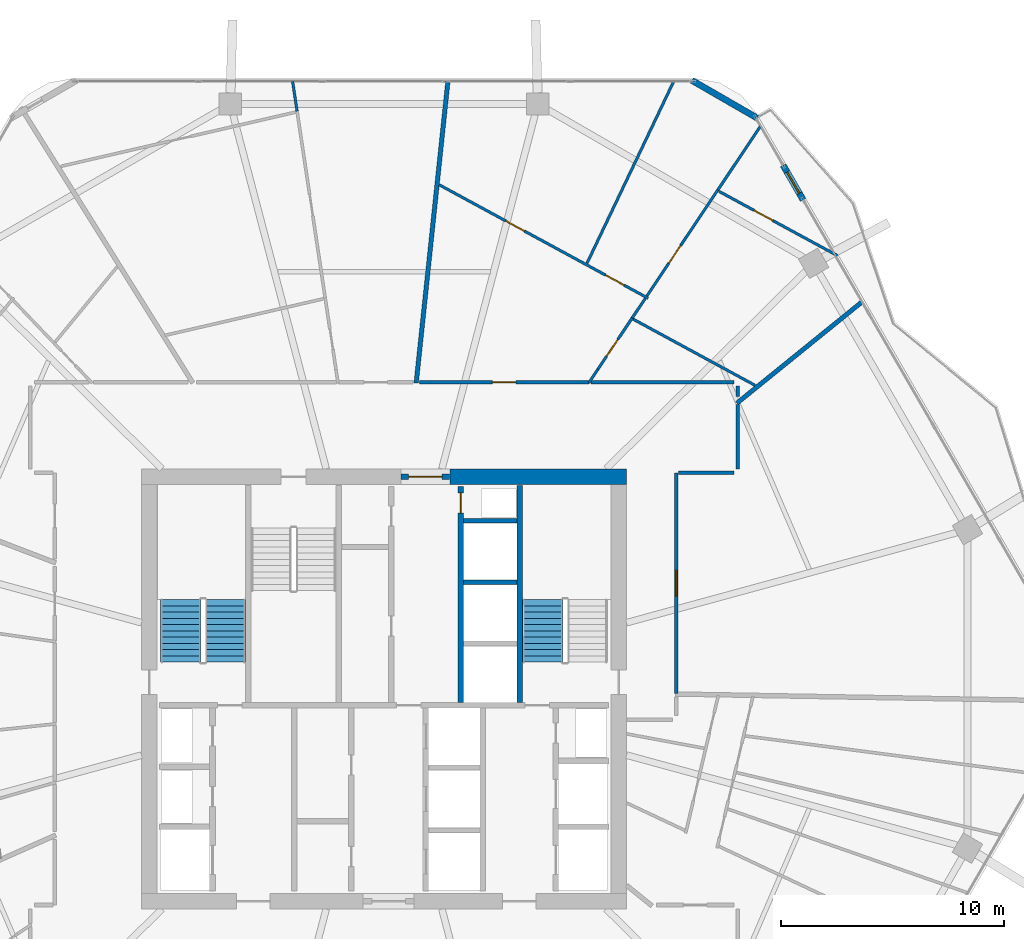
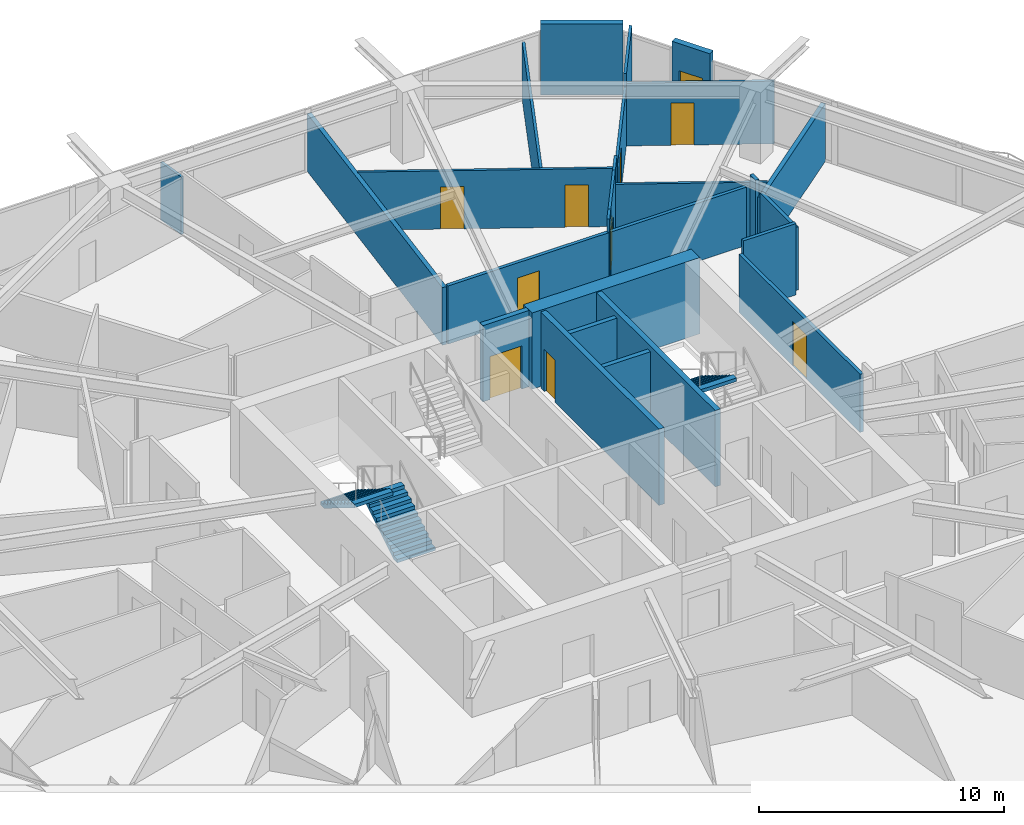
# One storey, part 21 of 25: 26 walls, 10 doors, 3 stair flights, 10 openings, 2 elements without a shape of their own.
"""IFC4 building model written with IfcOpenShell, lengths in metres."""

import ifcopenshell
import ifcopenshell.guid

model = None  # the IFC model being written
_history = None  # IfcOwnerHistory: only IFC2X3 demands one
_inside = {}  # id of a spatial element -> (the spatial element, [elements in it])
_under = {}  # id of a project, library or spatial element -> (it, [spatial elements below it])
_declared = {}  # id of a project -> (the project, [libraries it declares])
_typed = {}  # id of a type object -> (the type object, [elements of that type])
_made_of = {}  # id of a material, layer set ... -> (it, [elements and type objects made of it])


def new_model(schema):
    """Start an empty IFC model of exactly this schema.

    Asked for "IFC4X3", IfcOpenShell would pick the latest addendum, in which some entities
    have other attributes; the version numbers below select the first issue.
    IFC2X3 requires an IfcOwnerHistory on every rooted entity: one is made here for all.
    """
    global model, _history
    if schema == "IFC4X3":
        model = ifcopenshell.file(schema_version=(4, 3, 0, 0))
    else:
        model = ifcopenshell.file(schema=schema)
    _inside.clear()
    _under.clear()
    _declared.clear()
    _typed.clear()
    _made_of.clear()
    _history = None
    if model.schema == "IFC2X3":
        org = make("IfcOrganization", Name="unknown")
        user = make(
            "IfcPersonAndOrganization",
            ThePerson=make("IfcPerson", FamilyName="unknown"),
            TheOrganization=org,
        )
        app = make(
            "IfcApplication",
            ApplicationDeveloper=org,
            Version="unknown",
            ApplicationFullName="unknown",
            ApplicationIdentifier="unknown",
        )
        _history = make(
            "IfcOwnerHistory",
            OwningUser=user,
            OwningApplication=app,
            ChangeAction="ADDED",
            CreationDate=0,
        )
    return model


def make(cls, **values):
    """One entity of the class cls with the attributes given. An attribute that is None is left unset."""
    return model.create_entity(
        cls, **{name: value for name, value in values.items() if value is not None}
    )


def rooted(cls, **values):
    """An entity with a GlobalId (a new one), such as an element, a storey or a relation."""
    return make(cls, GlobalId=ifcopenshell.guid.new(), OwnerHistory=_history, **values)


def si_unit(unit_type, name, prefix=None):
    """IfcSIUnit, for example si_unit("LENGTHUNIT", "METRE", prefix="MILLI")."""
    return make("IfcSIUnit", UnitType=unit_type, Prefix=prefix, Name=name)


def assignment(units):
    """IfcUnitAssignment: the units of a project."""
    return None if units is None else make("IfcUnitAssignment", Units=units)


def point(xyz):
    """IfcCartesianPoint."""
    return None if xyz is None else make("IfcCartesianPoint", Coordinates=xyz)


def direction(xyz):
    """IfcDirection."""
    return None if xyz is None else make("IfcDirection", DirectionRatios=xyz)


def frame(location, z_axis=None, x_axis=None):
    """IfcAxis2Placement3D, a coordinate frame: its origin and axes. An axis left out is left unset."""
    return make(
        "IfcAxis2Placement3D",
        Location=point(location),
        Axis=direction(z_axis),
        RefDirection=direction(x_axis),
    )


def frame_2d(location, x_axis=None):
    """IfcAxis2Placement2D, a coordinate frame in the plane: its origin and x axis."""
    return make(
        "IfcAxis2Placement2D", Location=point(location), RefDirection=direction(x_axis)
    )


def origin():
    """The frame at (0, 0, 0) with its axes left unset."""
    return frame((0.0, 0.0, 0.0))


def place(relative_to, where):
    """IfcLocalPlacement: puts the frame where relative to a parent placement (None: the world)."""
    return make(
        "IfcLocalPlacement", PlacementRelTo=relative_to, RelativePlacement=where
    )


def context(
    kind, dimensions, precision=None, world=None, true_north=None, identifier=None
):
    """IfcGeometricRepresentationContext, for example the 3D "Model" context."""
    return make(
        "IfcGeometricRepresentationContext",
        ContextIdentifier=identifier,
        ContextType=kind,
        CoordinateSpaceDimension=dimensions,
        Precision=precision,
        WorldCoordinateSystem=world,
        TrueNorth=true_north,
    )


def subcontext(parent, identifier, kind, view, scale=None):
    """IfcGeometricRepresentationSubContext, for example "Body" below "Model"."""
    return make(
        "IfcGeometricRepresentationSubContext",
        ContextIdentifier=identifier,
        ContextType=kind,
        ParentContext=parent,
        TargetScale=scale,
        TargetView=view,
    )


def project(units=None, contexts=None):
    """IfcProject with its units and contexts."""
    return rooted(
        "IfcProject",
        Name="project",
        RepresentationContexts=contexts,
        UnitsInContext=assignment(units),
    )


def spatial(cls, under=None, at=None, **own):
    """A site, building, storey or space (cls), placed at a placement, below another one or the project."""
    s = rooted(cls, ObjectPlacement=at, **own)
    if under is not None:
        _under.setdefault(under.id(), (under, []))[1].append(s)
    return s


def polyline(points):
    """IfcPolyline through the points."""
    return make("IfcPolyline", Points=[point(p) for p in points])


def profile(cls, at=None, kind="AREA", **sizes):
    """A parametric profile (cls). Its sizes go by their IFC names, for example OverallWidth=200.0."""
    return make(cls, ProfileType=kind, Position=at, **sizes)


def rectangle(**sizes):
    """IfcRectangleProfileDef."""
    return profile("IfcRectangleProfileDef", **sizes)


def outline(outer, holes=None, kind="AREA"):
    """IfcArbitraryClosedProfileDef: a profile drawn as a closed curve; with holes, ...WithVoids."""
    if holes is None:
        return make("IfcArbitraryClosedProfileDef", ProfileType=kind, OuterCurve=outer)
    return make(
        "IfcArbitraryProfileDefWithVoids",
        ProfileType=kind,
        OuterCurve=outer,
        InnerCurves=holes,
    )


def extrude(swept, where, along, depth):
    """IfcExtrudedAreaSolid: the profile swept, set in the frame where, extruded along a direction by depth."""
    return make(
        "IfcExtrudedAreaSolid",
        SweptArea=swept,
        Position=where,
        ExtrudedDirection=direction(along),
        Depth=depth,
    )


def shape(context_of_items, identifier, shape_type, items):
    """IfcShapeRepresentation: the items that make up one representation, for example the "Body"."""
    return make(
        "IfcShapeRepresentation",
        ContextOfItems=context_of_items,
        RepresentationIdentifier=identifier,
        RepresentationType=shape_type,
        Items=items,
    )


def material(Name=None, Category=None):
    """IfcMaterial."""
    return make("IfcMaterial", Name=Name, Category=Category)


def layer(
    of_material, thickness, ventilated=None, Name=None, Category=None, Priority=None
):
    """IfcMaterialLayer: one layer of a wall or slab, of a material (None: an air gap)."""
    return make(
        "IfcMaterialLayer",
        Material=of_material,
        LayerThickness=thickness,
        IsVentilated=ventilated,
        Name=Name,
        Category=Category,
        Priority=Priority,
    )


def layer_set(layers, Name=None):
    """IfcMaterialLayerSet."""
    return make("IfcMaterialLayerSet", MaterialLayers=layers, LayerSetName=Name)


def made_of(thing, what):
    """Note that an element or type object is made of a material, layer set ...; save() writes the relation."""
    if what is not None:
        _made_of.setdefault(what.id(), (what, []))[1].append(thing)
    return thing


def type_object(cls, material=None, **own):
    """A type object (cls), such as IfcWallType, which elements share."""
    return made_of(rooted(cls, **own), material)


def element(
    cls,
    number,
    at=None,
    inside=None,
    cuts=None,
    type_object=None,
    material=None,
    context=None,
    identifier="Body",
    shape_type=None,
    held_by="IfcProductDefinitionShape",
    body=None,
    shapes=None,
    **own,
):
    """One element of the class cls, such as IfcWall. Its Tag is "e" and its number.

    at: its placement. inside: the storey or other place that contains it. cuts: it is an
    opening in that element (IfcRelVoidsElement). A single representation is given by context,
    identifier, shape_type and body (its items); several are given by shapes. held_by: the class
    of the entity that holds the representations. save() writes the other relations.
    """
    e = rooted(cls, Tag="e%d" % number, ObjectPlacement=at, **own)
    if body is not None:
        shapes = [shape(context, identifier, shape_type, body)]
    if shapes is not None:
        e.Representation = make(held_by, Representations=shapes)
    if inside is not None:
        _inside.setdefault(inside.id(), (inside, []))[1].append(e)
    if cuts is not None:
        rooted(
            "IfcRelVoidsElement", RelatingBuildingElement=cuts, RelatedOpeningElement=e
        )
    if type_object is not None:
        _typed.setdefault(type_object.id(), (type_object, []))[1].append(e)
    return made_of(e, material)


def fill(opening, filler):
    """IfcRelFillsElement: the door or window that sits in an opening."""
    return rooted(
        "IfcRelFillsElement",
        RelatingOpeningElement=opening,
        RelatedBuildingElement=filler,
    )


def aggregate(whole, parts):
    """IfcRelAggregates: a whole, such as a stair, and the parts it consists of."""
    return rooted("IfcRelAggregates", RelatingObject=whole, RelatedObjects=parts)


def save(model, path):
    """Write the relations noted so far, then the file.

    IfcRelAggregates (storeys below a building ...), IfcRelContainedInSpatialStructure (elements
    in a storey), IfcRelDefinesByType, IfcRelAssociatesMaterial and IfcRelDeclares: one each for
    every whole, place, type object, material and project.
    """
    for whole, parts in _under.values():
        aggregate(whole, parts)
    for where, things in _inside.values():
        rooted(
            "IfcRelContainedInSpatialStructure",
            RelatedElements=things,
            RelatingStructure=where,
        )
    for kind, things in _typed.values():
        rooted("IfcRelDefinesByType", RelatedObjects=things, RelatingType=kind)
    for what, things in _made_of.values():
        rooted("IfcRelAssociatesMaterial", RelatedObjects=things, RelatingMaterial=what)
    for by, libraries in _declared.values():
        rooted("IfcRelDeclares", RelatingContext=by, RelatedDefinitions=libraries)
    model.write(path)


model = new_model("IFC4")

# Units and contexts
model_context = context("Model", 3, precision=1e-05, world=origin(), true_north=direction((0.0, 1.0)))
body_context = subcontext(model_context, "Body", "Model", "MODEL_VIEW")
ifc_project = project(units=[si_unit("LENGTHUNIT", "METRE"), si_unit("AREAUNIT", "SQUARE_METRE"), si_unit("VOLUMEUNIT", "CUBIC_METRE"), si_unit("PLANEANGLEUNIT", "RADIAN"), si_unit("MASSUNIT", "GRAM", prefix="KILO")], contexts=[model_context])

# Site, building, storey
site_placement = place(None, origin())
site = spatial("IfcSite", under=ifc_project, at=site_placement, CompositionType="ELEMENT")
building_placement = place(site_placement, origin())
building = spatial("IfcBuilding", under=site, at=building_placement, Name="Zuhravey Tower", CompositionType="ELEMENT")
storey_placement = place(building_placement, frame((0.0, 0.0, 180.800048828125)))
storey = spatial("IfcBuildingStorey", under=building, at=storey_placement, Name="L45", CompositionType="ELEMENT", Elevation=180.800048828125)

# Wall
ifc_material_1 = material(Name="Concrete C60/75", Category="concrete")
ifc_layer_1 = layer(ifc_material_1, 0.699951171875)
ifc_layer_set_1 = layer_set([ifc_layer_1], Name="Concrete C60/75")
wall_type_1 = type_object("IfcWallType", Name="Core Shear Wall 700", PredefinedType="SHEAR", material=ifc_layer_set_1)
wall_1_placement = place(storey_placement, frame((46.85009765625, 41.5, 0.0), z_axis=(0.0, 0.0, 1.0), x_axis=(-1.0, 0.0, 0.0)))
element("IfcWall", 1, at=wall_1_placement, inside=storey, type_object=wall_type_1, Name="L45 North-East Core Shear Wall CW70", PredefinedType="SHEAR", context=body_context, shape_type="SweptSolid", body=[
    extrude(rectangle(XDim=7.900146484375, YDim=0.699951171875, at=frame_2d((3.9501953125, 0.0))), origin(), (0.0, 0.0, 1.0), 3.800048828125),
])

# Wall, opening, door
ifc_material_2 = material(Name="Gypsum fire-rated stud partition")
ifc_layer_2 = layer(ifc_material_2, 0.159912109375)
ifc_layer_set_2 = layer_set([ifc_layer_2], Name="Gypsum fire-rated stud partition")
wall_type_2 = type_object("IfcWallType", Name="Corridor Fire Partition 160", PredefinedType="PARTITIONING", material=ifc_layer_set_2)
wall_2_placement = place(storey_placement, frame((45.160400390625, 45.72998046875, 0.0), z_axis=(0.0, 0.0, 1.0), x_axis=(-1.0, 0.0, 0.0)))
wall_2 = element("IfcWall", 2, at=wall_2_placement, inside=storey, type_object=wall_type_2, Name="L45 IW16 Partition 025", PredefinedType="PARTITIONING", context=body_context, shape_type="SweptSolid", body=[
    extrude(rectangle(XDim=7.575927734375, YDim=0.159912109375, at=frame_2d((3.7880859375, 0.0))), origin(), (0.0, 0.0, 1.0), 2.89990234375),
])
opening_1_placement = place(wall_2_placement, frame((3.262939453125, 0.0, 0.0)))
opening_1 = element("IfcOpeningElement", 3, at=opening_1_placement, cuts=wall_2, Name="Opening APD1", PredefinedType="OPENING", context=body_context, shape_type="SweptSolid", body=[
    extrude(rectangle(XDim=1.050048828125, YDim=2.14990234375, at=frame_2d((0.52490234375, 1.074951171875))), frame((0.0, 0.092041015625, 0.0), z_axis=(0.0, -1.0, 0.0), x_axis=(1.0, 0.0, 0.0)), (0.0, 0.0, 1.0), 0.183837890625),
])
ifc_material_3 = material(Name="Solid-core oak fire-rated leaf")
door_type_1 = type_object("IfcDoorType", Name="Apartment Entrance Fire Door 1050x2150", OperationType="NOTDEFINED", PredefinedType="DOOR", material=ifc_material_3)
door_1_placement = place(opening_1_placement, frame((1.050048828125, 0.0, 0.0), z_axis=(0.0, 0.0, 1.0), x_axis=(-1.0, 0.0, 0.0)))
door_1 = element("IfcDoor", 4, at=door_1_placement, inside=storey, type_object=door_type_1, Name="L45 Door 025.1", OperationType="SINGLE_SWING_LEFT", OverallHeight=2.14990234375, OverallWidth=1.050048828125, PredefinedType="DOOR", context=body_context, shape_type="SweptSolid", body=[
    extrude(rectangle(XDim=1.050048828125, YDim=2.14990234375, at=frame_2d((0.52490234375, 1.074951171875))), frame((0.0, 0.02490234375, 0.0), z_axis=(0.0, -1.0, 0.0), x_axis=(1.0, 0.0, 0.0)), (0.0, 0.0, 1.0), 0.050048828125),
])
fill(opening_1, door_1)

wall_3_placement = place(storey_placement, frame((49.080078125, 31.791748046875, 0.0), z_axis=(0.0, 0.0, 1.0), x_axis=(0.0, 1.0, 0.0)))
wall_3 = element("IfcWall", 5, at=wall_3_placement, inside=storey, type_object=wall_type_2, Name="L45 IW16 Partition 054", PredefinedType="PARTITIONING", context=body_context, shape_type="SweptSolid", body=[
    extrude(rectangle(XDim=9.878173828125, YDim=0.159912109375, at=frame_2d((4.93896484375, 0.0))), origin(), (0.0, 0.0, 1.0), 2.89990234375),
])
opening_2_placement = place(wall_3_placement, frame((4.3642578125, 0.0, 0.0)))
opening_2 = element("IfcOpeningElement", 6, at=opening_2_placement, cuts=wall_3, Name="Opening CLD1", PredefinedType="OPENING", context=body_context, shape_type="SweptSolid", body=[
    extrude(rectangle(XDim=1.14990234375, YDim=2.199951171875, at=frame_2d((0.574951171875, 1.10009765625))), frame((0.0, 0.092041015625, 0.0), z_axis=(0.0, -1.0, 0.0), x_axis=(1.0, 0.0, 0.0)), (0.0, 0.0, 1.0), 0.183837890625),
])
ifc_material_4 = material(Name="Acoustic timber leaf with vision lite", Category="wood")
door_type_2 = type_object("IfcDoorType", Name="Classroom Acoustic Door 1150x2200", OperationType="NOTDEFINED", PredefinedType="DOOR", material=ifc_material_4)
door_2_placement = place(opening_2_placement, frame((1.14990234375, 0.0, 0.0), z_axis=(0.0, 0.0, 1.0), x_axis=(-1.0, 0.0, 0.0)))
door_2 = element("IfcDoor", 7, at=door_2_placement, inside=storey, type_object=door_type_2, Name="L45 Door 054.1", OperationType="SINGLE_SWING_RIGHT", OverallHeight=2.199951171875, OverallWidth=1.14990234375, PredefinedType="DOOR", context=body_context, shape_type="SweptSolid", body=[
    extrude(rectangle(XDim=1.14990234375, YDim=2.199951171875, at=frame_2d((0.574951171875, 1.10009765625))), frame((0.0, 0.02490234375, 0.0), z_axis=(0.0, -1.0, 0.0), x_axis=(1.0, 0.0, 0.0)), (0.0, 0.0, 1.0), 0.050048828125),
])
fill(opening_2, door_2)

# Walls
wall_4_placement = place(storey_placement, frame((51.64990234375, 45.72998046875, 0.0), z_axis=(0.0, 0.0, 1.0), x_axis=(-1.0, 0.0, 0.0)))
element("IfcWall", 8, at=wall_4_placement, inside=storey, type_object=wall_type_2, Name="L45 IW16 Partition 104", PredefinedType="PARTITIONING", context=body_context, shape_type="SweptSolid", body=[
    extrude(rectangle(XDim=6.383544921875, YDim=0.159912109375, at=frame_2d((3.19189453125, 0.0))), origin(), (0.0, 0.0, 1.0), 2.89990234375),
])
wall_5_placement = place(storey_placement, frame((51.830078125, 45.0751953125, 0.0), z_axis=(0.0, 0.0, 1.0), x_axis=(0.0, 1.0, 0.0)))
element("IfcWall", 9, at=wall_5_placement, inside=storey, type_object=wall_type_2, Name="L45 IW16 Partition 105", PredefinedType="PARTITIONING", context=body_context, shape_type="SweptSolid", body=[
    extrude(rectangle(XDim=0.474853515625, YDim=0.159912109375, at=frame_2d((0.2373046875, 0.0))), origin(), (0.0, 0.0, 1.0), 3.550048828125),
])
wall_6_placement = place(storey_placement, frame((51.830078125, 41.85009765625, 0.0), z_axis=(0.0, 0.0, 1.0), x_axis=(0.0, 1.0, 0.0)))
element("IfcWall", 10, at=wall_6_placement, inside=storey, type_object=wall_type_2, Name="L45 IW16 Partition 125", PredefinedType="PARTITIONING", context=body_context, shape_type="SweptSolid", body=[
    extrude(rectangle(XDim=2.886962890625, YDim=0.159912109375, at=frame_2d((1.443359375, 0.0))), origin(), (0.0, 0.0, 1.0), 3.14990234375),
])
wall_7_placement = place(storey_placement, frame((49.16796875, 41.669921875, 0.0), z_axis=(0.0, 0.0, 1.0), x_axis=(1.0, 0.0, 0.0)))
element("IfcWall", 11, at=wall_7_placement, inside=storey, type_object=wall_type_2, Name="L45 IW16 Partition 126", PredefinedType="PARTITIONING", context=body_context, shape_type="SweptSolid", body=[
    extrude(rectangle(XDim=2.48193359375, YDim=0.159912109375, at=frame_2d((1.240966796875, 0.0))), origin(), (0.0, 0.0, 1.0), 3.550048828125),
])
ifc_material_5 = material(Name="Precast concrete C40/50", Category="concrete")
ifc_layer_3 = layer(ifc_material_5, 0.280029296875)
ifc_layer_set_3 = layer_set([ifc_layer_3], Name="Precast concrete C40/50")
wall_type_3 = type_object("IfcWallType", Name="Crown Architectural Wall 280", PredefinedType="SOLIDWALL", material=ifc_layer_set_3)
wall_8_placement = place(storey_placement, frame((49.77880859375, 59.230712890625, 0.0), z_axis=(0.0, 0.0, 1.0), x_axis=(0.866020068361, -0.500009241111, 0.0)))
element("IfcWall", 12, at=wall_8_placement, inside=storey, type_object=wall_type_3, Name="L45 Rounded Corner Closure Wall EW28-10", PredefinedType="SOLIDWALL", context=body_context, shape_type="SweptSolid", body=[
    extrude(rectangle(XDim=3.365234375, YDim=0.280029296875, at=frame_2d((1.6826171875, 0.0))), origin(), (0.0, 0.0, 1.0), 3.550048828125),
])

# Wall, opening, door
wall_9_placement = place(storey_placement, frame((53.859619140625, 55.4326171875, 0.0), z_axis=(0.0, 0.0, 1.0), x_axis=(0.499923131819, -0.866069779101, 0.0)))
wall_9 = element("IfcWall", 13, at=wall_9_placement, inside=storey, type_object=wall_type_3, Name="L45 Face 1 Facade Pier EW28-1", PredefinedType="SOLIDWALL", context=body_context, shape_type="SweptSolid", body=[
    extrude(rectangle(XDim=1.790283203125, YDim=0.280029296875, at=frame_2d((0.89501953125, 0.0))), origin(), (0.0, 0.0, 1.0), 3.550048828125),
])
opening_3_placement = place(wall_9_placement, frame((0.344970703125, 0.0, 0.0)))
opening_3 = element("IfcOpeningElement", 14, at=opening_3_placement, cuts=wall_9, Name="Opening BLD1", PredefinedType="OPENING", context=body_context, shape_type="SweptSolid", body=[
    extrude(rectangle(XDim=1.10009765625, YDim=2.199951171875, at=frame_2d((0.550048828125, 1.10009765625))), frame((0.0, 0.152099609375, 0.0), z_axis=(0.0, -1.0, 0.0), x_axis=(1.0, 0.0, 0.0)), (0.0, 0.0, 1.0), 0.303955078125),
])
ifc_material_6 = material(Name="Thermally broken aluminium and low-E glass", Category="aluminium")
door_type_3 = type_object("IfcDoorType", Name="Balcony & Sky-Tray Glazed Door 1100x2200", OperationType="NOTDEFINED", PredefinedType="DOOR", material=ifc_material_6)
door_3_placement = place(opening_3_placement, frame((1.10009765625, 0.0, 0.0), z_axis=(0.0, 0.0, 1.0), x_axis=(-1.0, 0.0, 0.0)))
door_3 = element("IfcDoor", 15, at=door_3_placement, inside=storey, type_object=door_type_3, Name="L45 Face 1 Wave Balcony Door", OperationType="SINGLE_SWING_RIGHT", OverallHeight=2.199951171875, OverallWidth=1.10009765625, PredefinedType="DOOR", context=body_context, shape_type="SweptSolid", body=[
    extrude(rectangle(XDim=1.10009765625, YDim=2.199951171875, at=frame_2d((0.550048828125, 1.10009765625))), frame((0.0, 0.02490234375, 0.0), z_axis=(0.0, -1.0, 0.0), x_axis=(1.0, 0.0, 0.0)), (0.0, 0.0, 1.0), 0.050048828125),
])
fill(opening_3, door_3)

ifc_material_7 = material(Name="Concrete C50/60", Category="concrete")
ifc_layer_4 = layer(ifc_material_7, 0.25)
ifc_layer_set_4 = layer_set([ifc_layer_4], Name="Concrete C50/60")
wall_type_4 = type_object("IfcWallType", Name="Firefighting Shaft & Stair Wall 250", PredefinedType="SOLIDWALL", material=ifc_layer_set_4)
wall_10_placement = place(storey_placement, frame((36.760009765625, 41.5, 0.0), z_axis=(0.0, 0.0, 1.0), x_axis=(1.0, 0.0, 0.0)))
wall_10 = element("IfcWall", 16, at=wall_10_placement, inside=storey, type_object=wall_type_4, Name="L45 FW25 Shaft Wall 002", PredefinedType="SOLIDWALL", context=body_context, shape_type="SweptSolid", body=[
    extrude(rectangle(XDim=2.179931640625, YDim=0.25, at=frame_2d((1.08984375, 0.0))), origin(), (0.0, 0.0, 1.0), 3.800048828125),
])
opening_4_placement = place(wall_10_placement, frame((0.340087890625, 0.0, 0.0)))
opening_4 = element("IfcOpeningElement", 17, at=opening_4_placement, cuts=wall_10, Name="Opening FFD1", PredefinedType="OPENING", context=body_context, shape_type="SweptSolid", body=[
    extrude(rectangle(XDim=1.5, YDim=2.14990234375, at=frame_2d((0.75, 1.074951171875))), frame((0.0, 0.136962890625, 0.0), z_axis=(0.0, -1.0, 0.0), x_axis=(1.0, 0.0, 0.0)), (0.0, 0.0, 1.0), 0.27392578125),
])
ifc_material_8 = material(Name="Galvanised fire-rated steel leaf", Category="steel")
door_type_4 = type_object("IfcDoorType", Name="Firefighting Lobby Double Door 1500x2150", OperationType="DOUBLE_DOOR_SINGLE_SWING", PredefinedType="DOOR", material=ifc_material_8)
door_4_placement = place(opening_4_placement, origin())
door_4 = element("IfcDoor", 18, at=door_4_placement, inside=storey, type_object=door_type_4, Name="L45 North Lift Lobby Exit Door", OperationType="DOUBLE_DOOR_SINGLE_SWING", OverallHeight=2.14990234375, OverallWidth=1.5, PredefinedType="DOOR", context=body_context, shape_type="SweptSolid", body=[
    extrude(rectangle(XDim=1.5, YDim=2.14990234375, at=frame_2d((0.75, 1.074951171875))), frame((0.0, 0.02490234375, 0.0), z_axis=(0.0, -1.0, 0.0), x_axis=(1.0, 0.0, 0.0)), (0.0, 0.0, 1.0), 0.050048828125),
])
fill(opening_4, door_4)

# Wall
wall_11_placement = place(storey_placement, frame((42.074951171875, 31.39990234375, 0.0), z_axis=(0.0, 0.0, 1.0), x_axis=(0.0, 1.0, 0.0)))
element("IfcWall", 19, at=wall_11_placement, inside=storey, type_object=wall_type_4, Name="L45 FW25 Shaft Wall 006", PredefinedType="SOLIDWALL", context=body_context, shape_type="SweptSolid", body=[
    extrude(rectangle(XDim=9.7001953125, YDim=0.25, at=frame_2d((4.85009765625, 0.0))), origin(), (0.0, 0.0, 1.0), 3.800048828125),
])

# Wall, opening, door
wall_12_placement = place(storey_placement, frame((39.425048828125, 31.39990234375, 0.0), z_axis=(0.0, 0.0, 1.0), x_axis=(0.0, 1.0, 0.0)))
wall_12 = element("IfcWall", 20, at=wall_12_placement, inside=storey, type_object=wall_type_4, Name="L45 FW25 Shaft Wall 008", PredefinedType="SOLIDWALL", context=body_context, shape_type="SweptSolid", body=[
    extrude(rectangle(XDim=9.650146484375, YDim=0.25, at=frame_2d((4.8251953125, 0.0))), origin(), (0.0, 0.0, 1.0), 3.800048828125),
])
opening_5_placement = place(wall_12_placement, frame((8.469970703125, 0.0, 0.0)))
opening_5 = element("IfcOpeningElement", 21, at=opening_5_placement, cuts=wall_12, Name="Opening RSD1", PredefinedType="OPENING", context=body_context, shape_type="SweptSolid", body=[
    extrude(rectangle(XDim=0.89990234375, YDim=2.10009765625, at=frame_2d((0.449951171875, 1.050048828125))), frame((0.0, 0.136962890625, 0.0), z_axis=(0.0, -1.0, 0.0), x_axis=(1.0, 0.0, 0.0)), (0.0, 0.0, 1.0), 0.27392578125),
])
ifc_material_9 = material(Name="Galvanised fire-rated steel access leaf", Category="steel")
door_type_5 = type_object("IfcDoorType", Name="Riser & Shaft Access Fire Door 900x2100", OperationType="NOTDEFINED", PredefinedType="DOOR", material=ifc_material_9)
door_5_placement = place(opening_5_placement, origin())
door_5 = element("IfcDoor", 22, at=door_5_placement, inside=storey, type_object=door_type_5, Name="L45 North Riser Door", OperationType="SINGLE_SWING_RIGHT", OverallHeight=2.10009765625, OverallWidth=0.89990234375, PredefinedType="DOOR", context=body_context, shape_type="SweptSolid", body=[
    extrude(rectangle(XDim=0.89990234375, YDim=2.10009765625, at=frame_2d((0.449951171875, 1.050048828125))), frame((0.0, 0.02490234375, 0.0), z_axis=(0.0, -1.0, 0.0), x_axis=(1.0, 0.0, 0.0)), (0.0, 0.0, 1.0), 0.050048828125),
])
fill(opening_5, door_5)

# Walls
ifc_material_10 = material(Name="Gypsum double-stud party assembly")
ifc_layer_5 = layer(ifc_material_10, 0.199951171875)
ifc_layer_set_5 = layer_set([ifc_layer_5], Name="Gypsum double-stud party assembly")
wall_type_5 = type_object("IfcWallType", Name="Inter-Tenancy Party Wall 200", PredefinedType="PARTITIONING", material=ifc_layer_set_5)
wall_13_placement = place(storey_placement, frame((51.7900390625, 44.78662109375, 0.0), z_axis=(0.0, 0.0, 1.0), x_axis=(0.777161996324, 0.629300589122, 0.0)))
element("IfcWall", 23, at=wall_13_placement, inside=storey, type_object=wall_type_5, Name="L45 IW20 Partition 061", PredefinedType="PARTITIONING", context=body_context, shape_type="SweptSolid", body=[
    extrude(rectangle(XDim=7.203857421875, YDim=0.199951171875, at=frame_2d((3.60205078125, 0.0))), origin(), (0.0, 0.0, 1.0), 2.869873046875),
])
wall_14_placement = place(storey_placement, frame((37.43896484375, 45.68994140625, 0.0), z_axis=(0.0, 0.0, 1.0), x_axis=(0.104530227492, 0.994521709939, 0.0)))
element("IfcWall", 24, at=wall_14_placement, inside=storey, type_object=wall_type_5, Name="L45 IW20 Partition 066", PredefinedType="PARTITIONING", context=body_context, shape_type="SweptSolid", body=[
    extrude(rectangle(XDim=13.5673828125, YDim=0.199951171875, at=frame_2d((6.78369140625, 0.0))), origin(), (0.0, 0.0, 1.0), 2.869873046875),
])
ifc_material_11 = material(Name="Gypsum acoustic stud assembly")
ifc_layer_6 = layer(ifc_material_11, 0.219970703125)
ifc_layer_set_6 = layer_set([ifc_layer_6], Name="Gypsum acoustic stud assembly")
wall_type_6 = type_object("IfcWallType", Name="School Acoustic Compartment Wall 220", PredefinedType="PARTITIONING", material=ifc_layer_set_6)
for number, where, z_axis, x_axis, name in (
    (25, (39.55810546875, 36.77490234375, 0.0), (0.0, 0.0, 1.0), (1.0, 0.0, 0.0), "L45 IW22 Partition 057"),
    (26, (39.55810546875, 39.52490234375, 0.0), (0.0, 0.0, 1.0), (1.0, 0.0, 0.0), "L45 IW22 Partition 058"),
):
    element("IfcWall", number, at=place(storey_placement, frame(where, z_axis=z_axis, x_axis=x_axis)), inside=storey, type_object=wall_type_6, Name=name, PredefinedType="PARTITIONING", context=body_context, shape_type="SweptSolid", body=[
        extrude(rectangle(XDim=2.3837890625, YDim=0.219970703125, at=frame_2d((1.19189453125, 0.0))), origin(), (0.0, 0.0, 1.0), 3.550048828125),
    ])

# Wall, openings, doors
ifc_material_12 = material(Name="Gypsum metal-stud partition")
ifc_layer_7 = layer(ifc_material_12, 0.1201171875)
ifc_layer_set_7 = layer_set([ifc_layer_7], Name="Gypsum metal-stud partition")
wall_type_7 = type_object("IfcWallType", Name="Unit Internal Partition 120", PredefinedType="PARTITIONING", material=ifc_layer_set_7)
wall_15_placement = place(storey_placement, frame((47.816162109375, 49.484375, 0.0), z_axis=(0.0, 0.0, 1.0), x_axis=(-0.878822079669, 0.477149612057, 0.0)))
wall_15 = element("IfcWall", 27, at=wall_15_placement, inside=storey, type_object=wall_type_7, Name="L45 IW12 Partition 020", PredefinedType="PARTITIONING", context=body_context, shape_type="SweptSolid", body=[
    extrude(rectangle(XDim=10.635498046875, YDim=0.1201171875, at=frame_2d((5.31787109375, 0.0))), origin(), (0.0, 0.0, 1.0), 2.89990234375),
])
opening_6_placement = place(wall_15_placement, frame((1.218017578125, 0.0, 0.0)))
opening_6 = element("IfcOpeningElement", 28, at=opening_6_placement, cuts=wall_15, Name="Opening IND1", PredefinedType="OPENING", context=body_context, shape_type="SweptSolid", body=[
    extrude(rectangle(XDim=0.949951171875, YDim=2.10009765625, at=frame_2d((0.47509765625, 1.050048828125))), frame((0.0, 0.072021484375, 0.0), z_axis=(0.0, -1.0, 0.0), x_axis=(1.0, 0.0, 0.0)), (0.0, 0.0, 1.0), 0.14404296875),
])
opening_7_placement = place(wall_15_placement, frame((6.2958984375, 0.0, 0.0)))
opening_7 = element("IfcOpeningElement", 29, at=opening_7_placement, cuts=wall_15, Name="Opening IND1", PredefinedType="OPENING", context=body_context, shape_type="SweptSolid", body=[
    extrude(rectangle(XDim=0.949951171875, YDim=2.10009765625, at=frame_2d((0.47509765625, 1.050048828125))), frame((0.0, 0.072021484375, 0.0), z_axis=(0.0, -1.0, 0.0), x_axis=(1.0, 0.0, 0.0)), (0.0, 0.0, 1.0), 0.14404296875),
])
ifc_material_13 = material(Name="Painted engineered timber leaf", Category="wood")
door_type_6 = type_object("IfcDoorType", Name="Internal Room & Bedroom Door 950x2100", OperationType="NOTDEFINED", PredefinedType="DOOR", material=ifc_material_13)
door_6_placement = place(opening_6_placement, frame((0.949951171875, 0.0, 0.0), z_axis=(0.0, 0.0, 1.0), x_axis=(-1.0, 0.0, 0.0)))
door_6 = element("IfcDoor", 30, at=door_6_placement, inside=storey, type_object=door_type_6, Name="Apartment L45-01 Family Study Door", OperationType="SINGLE_SWING_RIGHT", OverallHeight=2.10009765625, OverallWidth=0.949951171875, PredefinedType="DOOR", context=body_context, shape_type="SweptSolid", body=[
    extrude(rectangle(XDim=0.949951171875, YDim=2.10009765625, at=frame_2d((0.47509765625, 1.050048828125))), frame((0.0, 0.02490234375, 0.0), z_axis=(0.0, -1.0, 0.0), x_axis=(1.0, 0.0, 0.0)), (0.0, 0.0, 1.0), 0.050048828125),
])
fill(opening_6, door_6)
door_7_placement = place(opening_7_placement, frame((0.949951171875, 0.0, 0.0), z_axis=(0.0, 0.0, 1.0), x_axis=(-1.0, 0.0, 0.0)))
door_7 = element("IfcDoor", 31, at=door_7_placement, inside=storey, type_object=door_type_6, Name="Apartment L45-01 Dining Room Door", OperationType="SINGLE_SWING_LEFT", OverallHeight=2.10009765625, OverallWidth=0.949951171875, PredefinedType="DOOR", context=body_context, shape_type="SweptSolid", body=[
    extrude(rectangle(XDim=0.949951171875, YDim=2.10009765625, at=frame_2d((0.47509765625, 1.050048828125))), frame((0.0, 0.02490234375, 0.0), z_axis=(0.0, -1.0, 0.0), x_axis=(1.0, 0.0, 0.0)), (0.0, 0.0, 1.0), 0.050048828125),
])
fill(opening_7, door_7)

# Wall, opening, door
wall_16_placement = place(storey_placement, frame((45.56591796875, 46.300048828125, 0.0), z_axis=(0.0, 0.0, 1.0), x_axis=(0.55600296576, 0.831180306592, 0.0)))
wall_16 = element("IfcWall", 32, at=wall_16_placement, inside=storey, type_object=wall_type_7, Name="L45 IW12 Partition 021", PredefinedType="PARTITIONING", context=body_context, shape_type="SweptSolid", body=[
    extrude(rectangle(XDim=2.766357421875, YDim=0.1201171875, at=frame_2d((1.38330078125, 0.0))), origin(), (0.0, 0.0, 1.0), 3.550048828125),
])
opening_8_placement = place(wall_16_placement, frame((0.7119140625, 0.0, 0.0)))
opening_8 = element("IfcOpeningElement", 33, at=opening_8_placement, cuts=wall_16, Name="Opening WCD1", PredefinedType="OPENING", context=body_context, shape_type="SweptSolid", body=[
    extrude(rectangle(XDim=0.89990234375, YDim=2.10009765625, at=frame_2d((0.449951171875, 1.050048828125))), frame((0.0, 0.072021484375, 0.0), z_axis=(0.0, -1.0, 0.0), x_axis=(1.0, 0.0, 0.0)), (0.0, 0.0, 1.0), 0.14404296875),
])
ifc_material_14 = material(Name="Moisture-resistant timber leaf", Category="wood")
door_type_7 = type_object("IfcDoorType", Name="Bathroom & WC Internal Door 900x2100", OperationType="NOTDEFINED", PredefinedType="DOOR", material=ifc_material_14)
door_8_placement = place(opening_8_placement, frame((0.89990234375, 0.0, 0.0), z_axis=(0.0, 0.0, 1.0), x_axis=(-1.0, 0.0, 0.0)))
door_8 = element("IfcDoor", 34, at=door_8_placement, inside=storey, type_object=door_type_7, Name="Apartment L45-01 Bathroom Door", OperationType="SINGLE_SWING_RIGHT", OverallHeight=2.10009765625, OverallWidth=0.89990234375, PredefinedType="DOOR", context=body_context, shape_type="SweptSolid", body=[
    extrude(rectangle(XDim=0.89990234375, YDim=2.10009765625, at=frame_2d((0.449951171875, 1.050048828125))), frame((0.0, 0.02490234375, 0.0), z_axis=(0.0, -1.0, 0.0), x_axis=(1.0, 0.0, 0.0)), (0.0, 0.0, 1.0), 0.050048828125),
])
fill(opening_8, door_8)

# Wall
wall_17_placement = place(storey_placement, frame((47.10400390625, 48.599365234375, 0.0), z_axis=(0.0, 0.0, 1.0), x_axis=(0.555875532835, 0.831265536393, 0.0)))
element("IfcWall", 35, at=wall_17_placement, inside=storey, type_object=wall_type_7, Name="L45 IW12 Partition 022", PredefinedType="PARTITIONING", context=body_context, shape_type="SweptSolid", body=[
    extrude(rectangle(XDim=1.05419921875, YDim=0.1201171875, at=frame_2d((0.527099609375, 0.0))), origin(), (0.0, 0.0, 1.0), 3.550048828125),
])

# Wall, opening, door
wall_18_placement = place(storey_placement, frame((47.765869140625, 49.589111328125, 0.0), z_axis=(0.0, 0.0, 1.0), x_axis=(0.556024553712, 0.831165865317, 0.0)))
wall_18 = element("IfcWall", 36, at=wall_18_placement, inside=storey, type_object=wall_type_7, Name="L45 IW12 Partition 023", PredefinedType="PARTITIONING", context=body_context, shape_type="SweptSolid", body=[
    extrude(rectangle(XDim=5.697509765625, YDim=0.1201171875, at=frame_2d((2.8486328125, 0.0))), origin(), (0.0, 0.0, 1.0), 2.869873046875),
])
opening_9_placement = place(wall_18_placement, frame((1.75341796875, 0.0, 0.0)))
opening_9 = element("IfcOpeningElement", 37, at=opening_9_placement, cuts=wall_18, Name="Opening IND1", PredefinedType="OPENING", context=body_context, shape_type="SweptSolid", body=[
    extrude(rectangle(XDim=0.949951171875, YDim=2.10009765625, at=frame_2d((0.47509765625, 1.050048828125))), frame((0.0, 0.072021484375, 0.0), z_axis=(0.0, -1.0, 0.0), x_axis=(1.0, 0.0, 0.0)), (0.0, 0.0, 1.0), 0.14404296875),
])
door_9_placement = place(opening_9_placement, frame((0.949951171875, 0.0, 0.0), z_axis=(0.0, 0.0, 1.0), x_axis=(-1.0, 0.0, 0.0)))
door_9 = element("IfcDoor", 38, at=door_9_placement, inside=storey, type_object=door_type_6, Name="Apartment L45-01 Home Office Door", OperationType="SINGLE_SWING_LEFT", OverallHeight=2.10009765625, OverallWidth=0.949951171875, PredefinedType="DOOR", context=body_context, shape_type="SweptSolid", body=[
    extrude(rectangle(XDim=0.949951171875, YDim=2.10009765625, at=frame_2d((0.47509765625, 1.050048828125))), frame((0.0, 0.02490234375, 0.0), z_axis=(0.0, -1.0, 0.0), x_axis=(1.0, 0.0, 0.0)), (0.0, 0.0, 1.0), 0.050048828125),
])
fill(opening_9, door_9)

wall_19_placement = place(storey_placement, frame((56.28564453125, 51.390380859375, 0.0), z_axis=(0.0, 0.0, 1.0), x_axis=(-0.878808858822, 0.477173961628, 0.0)))
wall_19 = element("IfcWall", 39, at=wall_19_placement, inside=storey, type_object=wall_type_7, Name="L45 IW12 Partition 024", PredefinedType="PARTITIONING", context=body_context, shape_type="SweptSolid", body=[
    extrude(rectangle(XDim=6.037353515625, YDim=0.1201171875, at=frame_2d((3.0185546875, 0.0))), origin(), (0.0, 0.0, 1.0), 3.1220703125),
])
opening_10_placement = place(wall_19_placement, frame((3.2880859375, 0.0, 0.0)))
opening_10 = element("IfcOpeningElement", 40, at=opening_10_placement, cuts=wall_19, Name="Opening IND1", PredefinedType="OPENING", context=body_context, shape_type="SweptSolid", body=[
    extrude(rectangle(XDim=0.949951171875, YDim=2.10009765625, at=frame_2d((0.47509765625, 1.050048828125))), frame((0.0, 0.072021484375, 0.0), z_axis=(0.0, -1.0, 0.0), x_axis=(1.0, 0.0, 0.0)), (0.0, 0.0, 1.0), 0.14404296875),
])
door_10_placement = place(opening_10_placement, frame((0.949951171875, 0.0, 0.0), z_axis=(0.0, 0.0, 1.0), x_axis=(-1.0, 0.0, 0.0)))
door_10 = element("IfcDoor", 41, at=door_10_placement, inside=storey, type_object=door_type_6, Name="Apartment L45-01 Bedroom 1 Door", OperationType="SINGLE_SWING_RIGHT", OverallHeight=2.10009765625, OverallWidth=0.949951171875, PredefinedType="DOOR", context=body_context, shape_type="SweptSolid", body=[
    extrude(rectangle(XDim=0.949951171875, YDim=2.10009765625, at=frame_2d((0.47509765625, 1.050048828125))), frame((0.0, 0.02490234375, 0.0), z_axis=(0.0, -1.0, 0.0), x_axis=(1.0, 0.0, 0.0)), (0.0, 0.0, 1.0), 0.050048828125),
])
fill(opening_10, door_10)

# Walls
wall_20_placement = place(storey_placement, frame((45.080810546875, 51.046875, 0.0), z_axis=(0.0, 0.0, 1.0), x_axis=(0.430349402059, 0.902662391012, 0.0)))
element("IfcWall", 42, at=wall_20_placement, inside=storey, type_object=wall_type_7, Name="L45 IW12 Partition 062", PredefinedType="PARTITIONING", context=body_context, shape_type="SweptSolid", body=[
    extrude(rectangle(XDim=9.046875, YDim=0.1201171875, at=frame_2d((4.5234375, 0.0))), origin(), (0.0, 0.0, 1.0), 2.869873046875),
])
wall_21_placement = place(storey_placement, frame((45.160400390625, 45.694091796875, 0.0), z_axis=(0.0, 0.0, 1.0), x_axis=(0.556167472671, 0.831070239115, 0.0)))
element("IfcWall", 43, at=wall_21_placement, inside=storey, type_object=wall_type_7, Name="L45 IW12 Partition 063", PredefinedType="PARTITIONING", context=body_context, shape_type="SweptSolid", body=[
    extrude(rectangle(XDim=0.729248046875, YDim=0.1201171875, at=frame_2d((0.36474609375, 0.0))), origin(), (0.0, 0.0, 1.0), 3.550048828125),
])
wall_22_placement = place(storey_placement, frame((50.933837890625, 54.32470703125, 0.0), z_axis=(0.0, 0.0, 1.0), x_axis=(0.556024334098, 0.831166012233, 0.0)))
element("IfcWall", 44, at=wall_22_placement, inside=storey, type_object=wall_type_7, Name="L45 IW12 Partition 064", PredefinedType="PARTITIONING", context=body_context, shape_type="SweptSolid", body=[
    extrude(rectangle(XDim=3.444580078125, YDim=0.1201171875, at=frame_2d((1.72216796875, 0.0))), origin(), (0.0, 0.0, 1.0), 3.550048828125),
])
wall_23_placement = place(storey_placement, frame((52.60400390625, 45.584716796875, 0.0), z_axis=(0.0, 0.0, 1.0), x_axis=(-0.878827510453, 0.477139609413, 0.0)))
element("IfcWall", 45, at=wall_23_placement, inside=storey, type_object=wall_type_7, Name="L45 IW12 Partition 065", PredefinedType="PARTITIONING", context=body_context, shape_type="SweptSolid", body=[
    extrude(rectangle(XDim=6.2060546875, YDim=0.1201171875, at=frame_2d((3.10302734375, 0.0))), origin(), (0.0, 0.0, 1.0), 2.89990234375),
])
wall_24_placement = place(storey_placement, frame((32.10888671875, 57.851318359375, 0.0), z_axis=(0.0, 0.0, 1.0), x_axis=(-0.148826194804, 0.988863369602, 0.0)))
element("IfcWall", 46, at=wall_24_placement, inside=storey, type_object=wall_type_7, Name="L45 IW12 Partition 068", PredefinedType="PARTITIONING", context=body_context, shape_type="SweptSolid", body=[
    extrude(rectangle(XDim=1.351806640625, YDim=0.1201171875, at=frame_2d((0.67578125, 0.0))), origin(), (0.0, 0.0, 1.0), 2.869873046875),
])

# Stair, stair flights
ifc_material_15 = material(Name="Concrete C40/50", Category="concrete")
stair_type = type_object("IfcStairType", Name="Housing Storey Stair Assembly 3800", PredefinedType="HALF_TURN_STAIR", material=ifc_material_15)
stair_1_placement = place(storey_placement, origin())
stair_1 = element("IfcStair", 47, at=stair_1_placement, inside=storey, type_object=stair_type, Name="L45 Core Exit Stair ST1", PredefinedType="HALF_TURN_STAIR")
stair_flight_type = type_object("IfcStairFlightType", Name="Housing Storey Stair Flight 3800", PredefinedType="STRAIGHT", material=ifc_material_15)
stair_flight_1_placement = place(storey_placement, frame((28.89990234375, 33.199951171875, 0.0), z_axis=(0.0, 0.0, 1.0), x_axis=(0.0, 1.0, 0.0)))
stair_flight_1 = element("IfcStairFlight", 48, at=stair_flight_1_placement, type_object=stair_flight_type, Name="ST1 flight 1", NumberOfRisers=11, NumberOfTreads=10, PredefinedType="STRAIGHT", RiserHeight=0.172727273, TreadLength=0.28, context=body_context, shape_type="SweptSolid", body=[
    extrude(outline(polyline([(0.0, 0.0), (0.0, 0.172607421875), (0.280029296875, 0.172607421875), (0.280029296875, 0.345458984375), (0.56005859375, 0.345458984375), (0.56005859375, 0.51806640625), (0.840087890625, 0.51806640625), (0.840087890625, 0.69091796875), (1.1201171875, 0.69091796875), (1.1201171875, 0.863525390625), (1.39990234375, 0.863525390625), (1.39990234375, 1.036376953125), (1.679931640625, 1.036376953125), (1.679931640625, 1.208984375), (1.9599609375, 1.208984375), (1.9599609375, 1.3818359375), (2.239990234375, 1.3818359375), (2.239990234375, 1.554443359375), (2.52001953125, 1.554443359375), (2.52001953125, 1.727294921875), (2.800048828125, 1.727294921875), (2.800048828125, 1.89990234375), (2.800048828125, 1.551025390625), (0.285400390625, 0.0), (0.0, 0.0)])), frame((0.0, 0.89990234375, 0.0), z_axis=(0.0, -1.0, 0.0), x_axis=(1.0, 0.0, 0.0)), (0.0, 0.0, 1.0), 1.800048828125),
])
stair_flight_2_placement = place(storey_placement, frame((26.89990234375, 36.0, 1.89990234375), z_axis=(0.0, 0.0, 1.0), x_axis=(0.0, -1.0, 0.0)))
stair_flight_2 = element("IfcStairFlight", 49, at=stair_flight_2_placement, type_object=stair_flight_type, Name="ST1 flight 2", NumberOfRisers=11, NumberOfTreads=10, PredefinedType="STRAIGHT", RiserHeight=0.172727273, TreadLength=0.28, context=body_context, shape_type="SweptSolid", body=[
    extrude(outline(polyline([(0.0, 0.0), (0.0, 0.172607421875), (0.280029296875, 0.172607421875), (0.280029296875, 0.345458984375), (0.56005859375, 0.345458984375), (0.56005859375, 0.51806640625), (0.840087890625, 0.51806640625), (0.840087890625, 0.69091796875), (1.1201171875, 0.69091796875), (1.1201171875, 0.863525390625), (1.39990234375, 0.863525390625), (1.39990234375, 1.036376953125), (1.679931640625, 1.036376953125), (1.679931640625, 1.208984375), (1.9599609375, 1.208984375), (1.9599609375, 1.3818359375), (2.239990234375, 1.3818359375), (2.239990234375, 1.554443359375), (2.52001953125, 1.554443359375), (2.52001953125, 1.727294921875), (2.800048828125, 1.727294921875), (2.800048828125, 1.89990234375), (2.800048828125, 1.551025390625), (0.285400390625, 0.0), (0.0, 0.0)])), frame((0.0, 0.89990234375, 0.0), z_axis=(0.0, -1.0, 0.0), x_axis=(1.0, 0.0, 0.0)), (0.0, 0.0, 1.0), 1.800048828125),
])
aggregate(stair_1, [stair_flight_1, stair_flight_2])

# Stair, stair flight
stair_2_placement = place(storey_placement, origin())
stair_2 = element("IfcStair", 50, at=stair_2_placement, inside=storey, type_object=stair_type, Name="L45 Core Exit Stair ST2", PredefinedType="HALF_TURN_STAIR")
stair_flight_3_placement = place(storey_placement, frame((43.10009765625, 36.0, 1.89990234375), z_axis=(0.0, 0.0, 1.0), x_axis=(0.0, -1.0, 0.0)))
stair_flight_3 = element("IfcStairFlight", 51, at=stair_flight_3_placement, type_object=stair_flight_type, Name="ST2 flight 2", NumberOfRisers=11, NumberOfTreads=10, PredefinedType="STRAIGHT", RiserHeight=0.172727273, TreadLength=0.28, context=body_context, shape_type="SweptSolid", body=[
    extrude(outline(polyline([(0.0, 0.0), (0.0, 0.172607421875), (0.280029296875, 0.172607421875), (0.280029296875, 0.345458984375), (0.56005859375, 0.345458984375), (0.56005859375, 0.51806640625), (0.840087890625, 0.51806640625), (0.840087890625, 0.69091796875), (1.1201171875, 0.69091796875), (1.1201171875, 0.863525390625), (1.39990234375, 0.863525390625), (1.39990234375, 1.036376953125), (1.679931640625, 1.036376953125), (1.679931640625, 1.208984375), (1.9599609375, 1.208984375), (1.9599609375, 1.3818359375), (2.239990234375, 1.3818359375), (2.239990234375, 1.554443359375), (2.52001953125, 1.554443359375), (2.52001953125, 1.727294921875), (2.800048828125, 1.727294921875), (2.800048828125, 1.89990234375), (2.800048828125, 1.551025390625), (0.285400390625, 0.0), (0.0, 0.0)])), frame((0.0, 0.89990234375, 0.0), z_axis=(0.0, -1.0, 0.0), x_axis=(1.0, 0.0, 0.0)), (0.0, 0.0, 1.0), 1.800048828125),
])
aggregate(stair_2, [stair_flight_3])

save(model, "model.ifc")
